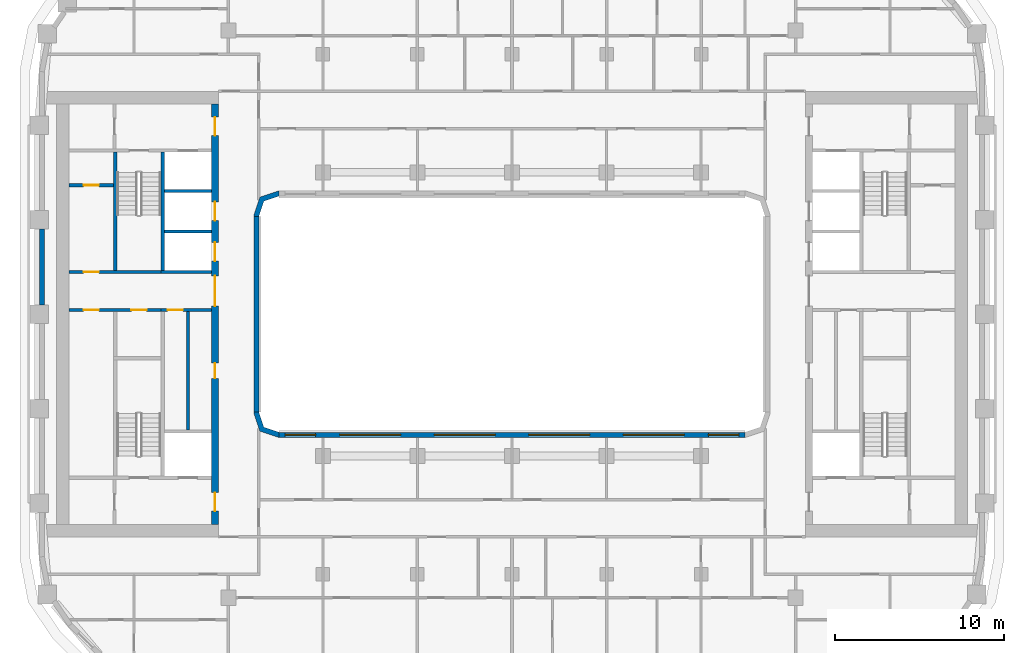
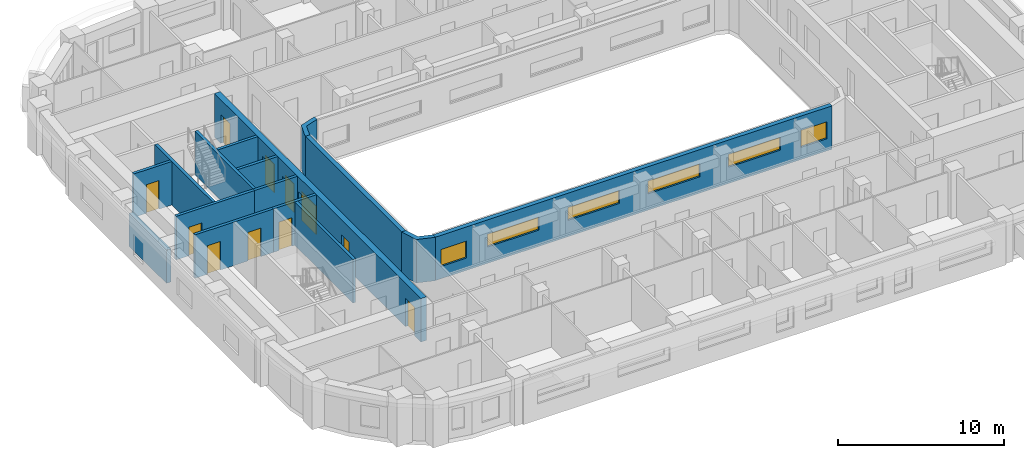
# One storey, part 4 of 22: 16 walls, 11 doors, 6 windows, 17 openings.
"""IFC4 building model written with IfcOpenShell, lengths in metres."""

from ifc_helpers import new_model, si_unit, direction, frame, frame_2d, origin, place, context, subcontext, project, spatial, polyline, rectangle, outline, extrude, material, layer, layer_set, type_object, element, fill, save


model = new_model("IFC4")

# Units and contexts
model_context = context("Model", 3, precision=1e-05, world=origin(), true_north=direction((0.0, 1.0)))
body_context = subcontext(model_context, "Body", "Model", "MODEL_VIEW")
ifc_project = project(units=[si_unit("LENGTHUNIT", "METRE"), si_unit("AREAUNIT", "SQUARE_METRE"), si_unit("VOLUMEUNIT", "CUBIC_METRE"), si_unit("PLANEANGLEUNIT", "RADIAN"), si_unit("MASSUNIT", "GRAM", prefix="KILO")], contexts=[model_context])

# Site, building, storey
site_placement = place(None, origin())
site = spatial("IfcSite", under=ifc_project, at=site_placement, CompositionType="ELEMENT")
building_placement = place(site_placement, origin())
building = spatial("IfcBuilding", under=site, at=building_placement, Name="Kiln Ring Residences", CompositionType="ELEMENT")
storey_placement = place(building_placement, frame((0.0, 0.0, 139.60009765625)))
storey = spatial("IfcBuildingStorey", under=building, at=storey_placement, Name="L35", CompositionType="ELEMENT", Elevation=139.60009765625)

# Wall, openings, doors
ifc_material_1 = material(Name="Gypsum board on steel studs", Category="steel")
ifc_layer_1 = layer(ifc_material_1, 0.199951171875)
ifc_layer_set_1 = layer_set([ifc_layer_1], Name="CORE-PARTITION-200")
wall_type_1 = type_object("IfcWallType", Name="CORE-PARTITION-200", PredefinedType="PARTITIONING", material=ifc_layer_set_1)
wall_1_placement = place(storey_placement, frame((-20.800048828125, 0.25, 0.0), z_axis=(0.0, 0.0, 1.0), x_axis=(-1.0, 0.0, 0.0)))
wall_1 = element("IfcWall", 1, at=wall_1_placement, inside=storey, type_object=wall_type_1, Name="Core partition west L35 2", PredefinedType="PARTITIONING", context=body_context, shape_type="SweptSolid", body=[
    extrude(rectangle(XDim=5.449951171875, YDim=0.199951171875, at=frame_2d((2.72509765625, 0.0))), origin(), (0.0, 0.0, 1.0), 3.199951171875),
])
opening_1_placement = place(wall_1_placement, frame((0.85009765625, 0.0, 0.0)))
opening_1 = element("IfcOpeningElement", 2, at=opening_1_placement, cuts=wall_1, Name="Opening L35-CW14", PredefinedType="OPENING", context=body_context, shape_type="SweptSolid", body=[
    extrude(rectangle(XDim=0.89990234375, YDim=2.10009765625, at=frame_2d((0.449951171875, 1.050048828125))), frame((0.0, 0.10986328125, 0.0), z_axis=(0.0, -1.0, 0.0), x_axis=(1.0, 0.0, 0.0)), (0.0, 0.0, 1.0), 0.219970703125),
])
opening_2_placement = place(wall_1_placement, frame((3.675048828125, 0.0, 0.0)))
opening_2 = element("IfcOpeningElement", 3, at=opening_2_placement, cuts=wall_1, Name="Opening L35-CW15", PredefinedType="OPENING", context=body_context, shape_type="SweptSolid", body=[
    extrude(rectangle(XDim=0.89990234375, YDim=2.10009765625, at=frame_2d((0.449951171875, 1.050048828125))), frame((0.0, 0.10986328125, 0.0), z_axis=(0.0, -1.0, 0.0), x_axis=(1.0, 0.0, 0.0)), (0.0, 0.0, 1.0), 0.219970703125),
])
ifc_material_2 = material(Name="Steel door leaf", Category="steel")
door_type_1 = type_object("IfcDoorType", Name="CORE-DOOR-ROOM", OperationType="SINGLE_SWING_LEFT", PredefinedType="DOOR", material=ifc_material_2)
door_1_placement = place(opening_1_placement, origin())
door_1 = element("IfcDoor", 4, at=door_1_placement, inside=storey, type_object=door_type_1, Name="Refuse and recycling room L35-CW14", OperationType="SINGLE_SWING_RIGHT", OverallHeight=2.10009765625, OverallWidth=0.89990234375, PredefinedType="DOOR", context=body_context, shape_type="SweptSolid", body=[
    extrude(rectangle(XDim=0.89990234375, YDim=2.10009765625, at=frame_2d((0.449951171875, 1.050048828125))), frame((0.0, 0.02490234375, 0.0), z_axis=(0.0, -1.0, 0.0), x_axis=(1.0, 0.0, 0.0)), (0.0, 0.0, 1.0), 0.050048828125),
])
fill(opening_1, door_1)
door_2_placement = place(opening_2_placement, origin())
door_2 = element("IfcDoor", 5, at=door_2_placement, inside=storey, type_object=door_type_1, Name="Water tank room L35-CW15", OperationType="SINGLE_SWING_LEFT", OverallHeight=2.10009765625, OverallWidth=0.89990234375, PredefinedType="DOOR", context=body_context, shape_type="SweptSolid", body=[
    extrude(rectangle(XDim=0.89990234375, YDim=2.10009765625, at=frame_2d((0.449951171875, 1.050048828125))), frame((0.0, 0.02490234375, 0.0), z_axis=(0.0, -1.0, 0.0), x_axis=(1.0, 0.0, 0.0)), (0.0, 0.0, 1.0), 0.050048828125),
])
fill(opening_2, door_2)

# Wall
wall_2_placement = place(storey_placement, frame((-19.199951171875, -6.85009765625, 0.0), z_axis=(0.0, 0.0, 1.0), x_axis=(0.0, 1.0, 0.0)))
element("IfcWall", 6, at=wall_2_placement, inside=storey, type_object=wall_type_1, Name="Core partition west L35 3", PredefinedType="PARTITIONING", context=body_context, shape_type="SweptSolid", body=[
    extrude(rectangle(XDim=7.0, YDim=0.199951171875, at=frame_2d((3.5, 0.0))), origin(), (0.0, 0.0, 1.0), 3.199951171875),
])

# Wall, opening, door
wall_3_placement = place(storey_placement, frame((-23.60009765625, 7.639892578125, 0.0), z_axis=(0.0, 0.0, 1.0), x_axis=(-1.0, 0.0, 0.0)))
wall_3 = element("IfcWall", 7, at=wall_3_placement, inside=storey, type_object=wall_type_1, Name="Core partition west L35 6", PredefinedType="PARTITIONING", context=body_context, shape_type="SweptSolid", body=[
    extrude(rectangle(XDim=2.64990234375, YDim=0.199951171875, at=frame_2d((1.324951171875, 0.0))), origin(), (0.0, 0.0, 1.0), 3.199951171875),
])
opening_3_placement = place(wall_3_placement, frame((0.875, 0.0, 0.0)))
opening_3 = element("IfcOpeningElement", 8, at=opening_3_placement, cuts=wall_3, Name="Opening L35-CW16", PredefinedType="OPENING", context=body_context, shape_type="SweptSolid", body=[
    extrude(rectangle(XDim=0.89990234375, YDim=2.10009765625, at=frame_2d((0.449951171875, 1.050048828125))), frame((0.0, 0.10986328125, 0.0), z_axis=(0.0, -1.0, 0.0), x_axis=(1.0, 0.0, 0.0)), (0.0, 0.0, 1.0), 0.219970703125),
])
door_3_placement = place(opening_3_placement, origin())
door_3 = element("IfcDoor", 9, at=door_3_placement, inside=storey, type_object=door_type_1, Name="UPS room L35-CW16", OperationType="SINGLE_SWING_LEFT", OverallHeight=2.10009765625, OverallWidth=0.89990234375, PredefinedType="DOOR", context=body_context, shape_type="SweptSolid", body=[
    extrude(rectangle(XDim=0.89990234375, YDim=2.10009765625, at=frame_2d((0.449951171875, 1.050048828125))), frame((0.0, 0.02490234375, 0.0), z_axis=(0.0, -1.0, 0.0), x_axis=(1.0, 0.0, 0.0)), (0.0, 0.0, 1.0), 0.050048828125),
])
fill(opening_3, door_3)

ifc_material_3 = material(Name="Gypsum shaft wall system")
ifc_layer_2 = layer(ifc_material_3, 0.199951171875)
ifc_layer_set_2 = layer_set([ifc_layer_2], Name="CORE-SHAFT-WALL-200")
wall_type_2 = type_object("IfcWallType", Name="CORE-SHAFT-WALL-200", PredefinedType="PARTITIONING", material=ifc_layer_set_2)
wall_4_placement = place(storey_placement, frame((-17.800048828125, 0.25, 0.0), z_axis=(0.0, 0.0, 1.0), x_axis=(-1.0, 0.0, 0.0)))
wall_4 = element("IfcWall", 10, at=wall_4_placement, inside=storey, type_object=wall_type_2, Name="Core partition west L35 8", PredefinedType="PARTITIONING", context=body_context, shape_type="SweptSolid", body=[
    extrude(rectangle(XDim=3.0, YDim=0.199951171875, at=frame_2d((1.5, 0.0))), origin(), (0.0, 0.0, 1.0), 3.199951171875),
])
opening_4_placement = place(wall_4_placement, frame((1.699951171875, 0.0, 0.0)))
opening_4 = element("IfcOpeningElement", 11, at=opening_4_placement, cuts=wall_4, Name="Opening L35-CW03", PredefinedType="OPENING", context=body_context, shape_type="SweptSolid", body=[
    extrude(rectangle(XDim=0.89990234375, YDim=2.10009765625, at=frame_2d((0.449951171875, 1.050048828125))), frame((0.0, 0.10986328125, 0.0), z_axis=(0.0, -1.0, 0.0), x_axis=(1.0, 0.0, 0.0)), (0.0, 0.0, 1.0), 0.219970703125),
])
door_4_placement = place(opening_4_placement, origin())
door_4 = element("IfcDoor", 12, at=door_4_placement, inside=storey, type_object=door_type_1, Name="Locker store L35-CW03", OperationType="SINGLE_SWING_LEFT", OverallHeight=2.10009765625, OverallWidth=0.89990234375, PredefinedType="DOOR", context=body_context, shape_type="SweptSolid", body=[
    extrude(rectangle(XDim=0.89990234375, YDim=2.10009765625, at=frame_2d((0.449951171875, 1.050048828125))), frame((0.0, 0.02490234375, 0.0), z_axis=(0.0, -1.0, 0.0), x_axis=(1.0, 0.0, 0.0)), (0.0, 0.0, 1.0), 0.050048828125),
])
fill(opening_4, door_4)

# Walls
wall_5_placement = place(storey_placement, frame((-17.800048828125, 2.5, 0.0), z_axis=(0.0, 0.0, 1.0), x_axis=(-1.0, 0.0, 0.0)))
element("IfcWall", 13, at=wall_5_placement, inside=storey, type_object=wall_type_2, Name="Core partition west L35 9", PredefinedType="PARTITIONING", context=body_context, shape_type="SweptSolid", body=[
    extrude(rectangle(XDim=3.0, YDim=0.199951171875, at=frame_2d((1.5, 0.0))), origin(), (0.0, 0.0, 1.0), 3.199951171875),
])
for number, where, z_axis, x_axis, name in (
    (14, (-17.800048828125, 4.89990234375, 0.0), (0.0, 0.0, 1.0), (-1.0, 0.0, 0.0), "Core partition west L35 10"),
    (15, (-17.800048828125, 7.300048828125, 0.0), (0.0, 0.0, 1.0), (-1.0, 0.0, 0.0), "Core partition west L35 11"),
):
    element("IfcWall", number, at=place(storey_placement, frame(where, z_axis=z_axis, x_axis=x_axis)), inside=storey, type_object=wall_type_2, Name=name, PredefinedType="PARTITIONING", context=body_context, shape_type="SweptSolid", body=[
        extrude(rectangle(XDim=2.800048828125, YDim=0.199951171875, at=frame_2d((1.39990234375, 0.0))), origin(), (0.0, 0.0, 1.0), 3.199951171875),
    ])
ifc_material_4 = material(Name="Concrete C40/50", Category="concrete")
ifc_layer_3 = layer(ifc_material_4, 0.199951171875)
ifc_layer_set_3 = layer_set([ifc_layer_3], Name="CORE-WALL-RC200")
wall_type_3 = type_object("IfcWallType", Name="CORE-WALL-RC200", PredefinedType="SHEAR", material=ifc_layer_set_3)
wall_6_placement = place(storey_placement, frame((-20.699951171875, 2.60009765625, 0.0), z_axis=(0.0, 0.0, 1.0), x_axis=(0.0, 1.0, 0.0)))
element("IfcWall", 16, at=wall_6_placement, inside=storey, type_object=wall_type_3, Name="Core wall west L35 1", PredefinedType="SHEAR", context=body_context, shape_type="SweptSolid", body=[
    extrude(rectangle(XDim=7.0, YDim=0.199951171875, at=frame_2d((3.5, 0.0))), origin(), (0.0, 0.0, 1.0), 3.199951171875),
])

# Wall, opening, door
wall_7_placement = place(storey_placement, frame((-20.800048828125, 2.5, 0.0), z_axis=(0.0, 0.0, 1.0), x_axis=(-1.0, 0.0, 0.0)))
wall_7 = element("IfcWall", 17, at=wall_7_placement, inside=storey, type_object=wall_type_3, Name="Core wall west L35 3", PredefinedType="SHEAR", context=body_context, shape_type="SweptSolid", body=[
    extrude(rectangle(XDim=5.449951171875, YDim=0.199951171875, at=frame_2d((2.72509765625, 0.0))), origin(), (0.0, 0.0, 1.0), 3.199951171875),
])
opening_5_placement = place(wall_7_placement, frame((3.675048828125, 0.0, 0.0)))
opening_5 = element("IfcOpeningElement", 18, at=opening_5_placement, cuts=wall_7, Name="Opening L35-CW17", PredefinedType="OPENING", context=body_context, shape_type="SweptSolid", body=[
    extrude(rectangle(XDim=0.89990234375, YDim=2.10009765625, at=frame_2d((0.449951171875, 1.050048828125))), frame((0.0, 0.10986328125, 0.0), z_axis=(0.0, -1.0, 0.0), x_axis=(1.0, 0.0, 0.0)), (0.0, 0.0, 1.0), 0.219970703125),
])
door_5_placement = place(opening_5_placement, origin())
door_5 = element("IfcDoor", 19, at=door_5_placement, inside=storey, type_object=door_type_1, Name="Electrical plant room L35-CW17", OperationType="SINGLE_SWING_RIGHT", OverallHeight=2.10009765625, OverallWidth=0.89990234375, PredefinedType="DOOR", context=body_context, shape_type="SweptSolid", body=[
    extrude(rectangle(XDim=0.89990234375, YDim=2.10009765625, at=frame_2d((0.449951171875, 1.050048828125))), frame((0.0, 0.02490234375, 0.0), z_axis=(0.0, -1.0, 0.0), x_axis=(1.0, 0.0, 0.0)), (0.0, 0.0, 1.0), 0.050048828125),
])
fill(opening_5, door_5)

# Wall
wall_8_placement = place(storey_placement, frame((-23.5, 2.60009765625, 0.0), z_axis=(0.0, 0.0, 1.0), x_axis=(0.0, 1.0, 0.0)))
element("IfcWall", 20, at=wall_8_placement, inside=storey, type_object=wall_type_3, Name="Core wall west L35 10", PredefinedType="SHEAR", context=body_context, shape_type="SweptSolid", body=[
    extrude(rectangle(XDim=7.0, YDim=0.199951171875, at=frame_2d((3.5, 0.0))), origin(), (0.0, 0.0, 1.0), 3.199951171875),
])

# Wall, openings, doors
ifc_material_5 = material(Name="Concrete C60/75", Category="concrete")
ifc_layer_4 = layer(ifc_material_5, 0.39990234375)
ifc_layer_set_4 = layer_set([ifc_layer_4], Name="CORE-WALL-RC400")
wall_type_4 = type_object("IfcWallType", Name="CORE-WALL-RC400", PredefinedType="SHEAR", material=ifc_layer_set_4)
wall_9_placement = place(storey_placement, frame((-17.60009765625, -12.449951171875, 0.0), z_axis=(0.0, 0.0, 1.0), x_axis=(0.0, 1.0, 0.0)))
wall_9 = element("IfcWall", 21, at=wall_9_placement, inside=storey, type_object=wall_type_4, Name="Core wall west L35 6", PredefinedType="SHEAR", context=body_context, shape_type="SweptSolid", body=[
    extrude(rectangle(XDim=24.89990234375, YDim=0.39990234375, at=frame_2d((12.449951171875, 0.0))), origin(), (0.0, 0.0, 1.0), 3.199951171875),
])
opening_6_placement = place(wall_9_placement, frame((8.64990234375, 0.0, 0.0)))
opening_6 = element("IfcOpeningElement", 22, at=opening_6_placement, cuts=wall_9, Name="Opening L35-CW02", PredefinedType="OPENING", context=body_context, shape_type="SweptSolid", body=[
    extrude(rectangle(XDim=0.89990234375, YDim=2.10009765625, at=frame_2d((0.449951171875, 1.050048828125))), frame((0.0, 0.2099609375, 0.0), z_axis=(0.0, -1.0, 0.0), x_axis=(1.0, 0.0, 0.0)), (0.0, 0.0, 1.0), 0.419921875),
])
opening_7_placement = place(wall_9_placement, frame((15.60009765625, 0.0, 0.0)))
opening_7 = element("IfcOpeningElement", 23, at=opening_7_placement, cuts=wall_9, Name="Opening L35-CW04", PredefinedType="OPENING", context=body_context, shape_type="SweptSolid", body=[
    extrude(rectangle(XDim=1.10009765625, YDim=2.10009765625, at=frame_2d((0.550048828125, 1.050048828125))), frame((0.0, 0.2099609375, 0.0), z_axis=(0.0, -1.0, 0.0), x_axis=(1.0, 0.0, 0.0)), (0.0, 0.0, 1.0), 0.419921875),
])
opening_8_placement = place(wall_9_placement, frame((18.0, 0.0, 0.0)))
opening_8 = element("IfcOpeningElement", 24, at=opening_8_placement, cuts=wall_9, Name="Opening L35-CW05", PredefinedType="OPENING", context=body_context, shape_type="SweptSolid", body=[
    extrude(rectangle(XDim=1.10009765625, YDim=2.10009765625, at=frame_2d((0.550048828125, 1.050048828125))), frame((0.0, 0.2099609375, 0.0), z_axis=(0.0, -1.0, 0.0), x_axis=(1.0, 0.0, 0.0)), (0.0, 0.0, 1.0), 0.419921875),
])
opening_9_placement = place(wall_9_placement, frame((23.02490234375, 0.0, 0.0)))
opening_9 = element("IfcOpeningElement", 25, at=opening_9_placement, cuts=wall_9, Name="Opening L35-CW07", PredefinedType="OPENING", context=body_context, shape_type="SweptSolid", body=[
    extrude(rectangle(XDim=1.10009765625, YDim=2.10009765625, at=frame_2d((0.550048828125, 1.050048828125))), frame((0.0, 0.2099609375, 0.0), z_axis=(0.0, -1.0, 0.0), x_axis=(1.0, 0.0, 0.0)), (0.0, 0.0, 1.0), 0.419921875),
])
opening_10_placement = place(wall_9_placement, frame((0.77490234375, 0.0, 0.0)))
opening_10 = element("IfcOpeningElement", 26, at=opening_10_placement, cuts=wall_9, Name="Opening L35-CW08", PredefinedType="OPENING", context=body_context, shape_type="SweptSolid", body=[
    extrude(rectangle(XDim=1.10009765625, YDim=2.10009765625, at=frame_2d((0.550048828125, 1.050048828125))), frame((0.0, 0.2099609375, 0.0), z_axis=(0.0, -1.0, 0.0), x_axis=(1.0, 0.0, 0.0)), (0.0, 0.0, 1.0), 0.419921875),
])
opening_11_placement = place(wall_9_placement, frame((12.925048828125, 0.0, 0.0)))
opening_11 = element("IfcOpeningElement", 27, at=opening_11_placement, cuts=wall_9, Name="Opening L35-CW13", PredefinedType="OPENING", context=body_context, shape_type="SweptSolid", body=[
    extrude(rectangle(XDim=1.800048828125, YDim=2.10009765625, at=frame_2d((0.89990234375, 1.050048828125))), frame((0.0, 0.2099609375, 0.0), z_axis=(0.0, -1.0, 0.0), x_axis=(1.0, 0.0, 0.0)), (0.0, 0.0, 1.0), 0.419921875),
])
ifc_material_6 = material(Name="Steel door leaf", Category="steel")
door_type_2 = type_object("IfcDoorType", Name="CORE-DOOR-LD", OperationType="DOUBLE_DOOR_SLIDING", PredefinedType="DOOR", material=ifc_material_6)
door_6_placement = place(opening_7_placement, origin())
door_6 = element("IfcDoor", 28, at=door_6_placement, inside=storey, type_object=door_type_2, Name="LD W-M1 L35-CW04", OperationType="DOUBLE_DOOR_SLIDING", OverallHeight=2.10009765625, OverallWidth=1.10009765625, PredefinedType="DOOR", context=body_context, shape_type="SweptSolid", body=[
    extrude(rectangle(XDim=1.10009765625, YDim=2.10009765625, at=frame_2d((0.550048828125, 1.050048828125))), frame((0.0, 0.02490234375, 0.0), z_axis=(0.0, -1.0, 0.0), x_axis=(1.0, 0.0, 0.0)), (0.0, 0.0, 1.0), 0.050048828125),
])
fill(opening_7, door_6)
door_7_placement = place(opening_8_placement, origin())
door_7 = element("IfcDoor", 29, at=door_7_placement, inside=storey, type_object=door_type_2, Name="LD W-M2 L35-CW05", OperationType="DOUBLE_DOOR_SLIDING", OverallHeight=2.10009765625, OverallWidth=1.10009765625, PredefinedType="DOOR", context=body_context, shape_type="SweptSolid", body=[
    extrude(rectangle(XDim=1.10009765625, YDim=2.10009765625, at=frame_2d((0.550048828125, 1.050048828125))), frame((0.0, 0.02490234375, 0.0), z_axis=(0.0, -1.0, 0.0), x_axis=(1.0, 0.0, 0.0)), (0.0, 0.0, 1.0), 0.050048828125),
])
fill(opening_8, door_7)
ifc_material_7 = material(Name="Steel door leaf", Category="steel")
door_type_3 = type_object("IfcDoorType", Name="CORE-DOOR-LOBBY", OperationType="SINGLE_SWING_LEFT", PredefinedType="DOOR", material=ifc_material_7)
door_8_placement = place(opening_9_placement, origin())
door_8 = element("IfcDoor", 30, at=door_8_placement, inside=storey, type_object=door_type_3, Name="FFL L35-CW07", OperationType="SINGLE_SWING_RIGHT", OverallHeight=2.10009765625, OverallWidth=1.10009765625, PredefinedType="DOOR", context=body_context, shape_type="SweptSolid", body=[
    extrude(rectangle(XDim=1.10009765625, YDim=2.10009765625, at=frame_2d((0.550048828125, 1.050048828125))), frame((0.0, 0.02490234375, 0.0), z_axis=(0.0, -1.0, 0.0), x_axis=(1.0, 0.0, 0.0)), (0.0, 0.0, 1.0), 0.050048828125),
])
fill(opening_9, door_8)
door_9_placement = place(opening_10_placement, origin())
door_9 = element("IfcDoor", 31, at=door_9_placement, inside=storey, type_object=door_type_3, Name="SVL L35-CW08", OperationType="SINGLE_SWING_LEFT", OverallHeight=2.10009765625, OverallWidth=1.10009765625, PredefinedType="DOOR", context=body_context, shape_type="SweptSolid", body=[
    extrude(rectangle(XDim=1.10009765625, YDim=2.10009765625, at=frame_2d((0.550048828125, 1.050048828125))), frame((0.0, 0.02490234375, 0.0), z_axis=(0.0, -1.0, 0.0), x_axis=(1.0, 0.0, 0.0)), (0.0, 0.0, 1.0), 0.050048828125),
])
fill(opening_10, door_9)
ifc_material_8 = material(Name="Steel door leaf", Category="steel")
door_type_4 = type_object("IfcDoorType", Name="CORE-DOOR-PASS", OperationType="DOUBLE_DOOR_SINGLE_SWING", PredefinedType="DOOR", material=ifc_material_8)
door_10_placement = place(opening_11_placement, origin())
door_10 = element("IfcDoor", 32, at=door_10_placement, inside=storey, type_object=door_type_4, Name="Core passage L35-CW13", OperationType="DOUBLE_DOOR_SINGLE_SWING", OverallHeight=2.10009765625, OverallWidth=1.800048828125, PredefinedType="DOOR", context=body_context, shape_type="SweptSolid", body=[
    extrude(rectangle(XDim=1.800048828125, YDim=2.10009765625, at=frame_2d((0.89990234375, 1.050048828125))), frame((0.0, 0.02490234375, 0.0), z_axis=(0.0, -1.0, 0.0), x_axis=(1.0, 0.0, 0.0)), (0.0, 0.0, 1.0), 0.050048828125),
])
fill(opening_11, door_10)
door_11_placement = place(opening_6_placement, origin())
door_11 = element("IfcDoor", 33, at=door_11_placement, inside=storey, type_object=door_type_1, Name="Storage room L35-CW02", OperationType="SINGLE_SWING_RIGHT", OverallHeight=2.10009765625, OverallWidth=0.89990234375, PredefinedType="DOOR", context=body_context, shape_type="SweptSolid", body=[
    extrude(rectangle(XDim=0.89990234375, YDim=2.10009765625, at=frame_2d((0.449951171875, 1.050048828125))), frame((0.0, 0.02490234375, 0.0), z_axis=(0.0, -1.0, 0.0), x_axis=(1.0, 0.0, 0.0)), (0.0, 0.0, 1.0), 0.050048828125),
])
fill(opening_6, door_11)

# Walls
ifc_material_9 = material(Name="Brick masonry, dark clay brick", Category="masonry")
ifc_layer_5 = layer(ifc_material_9, 0.300048828125)
ifc_layer_set_5 = layer_set([ifc_layer_5], Name="EW-300 BRICK WALL")
wall_type_5 = type_object("IfcWallType", Name="EW-300 BRICK WALL", PredefinedType="SOLIDWALL", material=ifc_layer_set_5)
wall_10_placement = place(storey_placement, frame((-27.85009765625, 5.050048828125, 0.0), z_axis=(0.0, 0.0, 1.0), x_axis=(0.0, -1.0, 0.0)))
element("IfcWall", 34, at=wall_10_placement, inside=storey, type_object=wall_type_5, Name="Facade wall L35 43", PredefinedType="SOLIDWALL", context=body_context, shape_type="SweptSolid", body=[
    extrude(rectangle(XDim=4.5, YDim=0.300048828125, at=frame_2d((2.25, 0.0))), origin(), (0.0, 0.0, 1.0), 2.449951171875),
])
wall_11_placement = place(storey_placement, frame((-15.14990234375, -5.800048828125, 0.0), z_axis=(0.0, 0.0, 1.0), x_axis=(0.0, 1.0, 0.0)))
element("IfcWall", 35, at=wall_11_placement, inside=storey, type_object=wall_type_5, Name="Facade wall L35 49", PredefinedType="SOLIDWALL", context=body_context, shape_type="SweptSolid", body=[
    extrude(rectangle(XDim=11.60009765625, YDim=0.300048828125, at=frame_2d((5.800048828125, 0.0))), origin(), (0.0, 0.0, 1.0), 3.199951171875),
])

# Wall, openings, windows
wall_12_placement = place(storey_placement, frame((13.800048828125, -7.14990234375, 0.0), z_axis=(0.0, 0.0, 1.0), x_axis=(-1.0, 0.0, 0.0)))
wall_12 = element("IfcWall", 36, at=wall_12_placement, inside=storey, type_object=wall_type_5, Name="Facade wall L35 52", PredefinedType="SOLIDWALL", context=body_context, shape_type="SweptSolid", body=[
    extrude(rectangle(XDim=27.60009765625, YDim=0.300048828125, at=frame_2d((13.800048828125, 0.0))), origin(), (0.0, 0.0, 1.0), 3.199951171875),
])
opening_12_placement = place(wall_12_placement, frame((0.362548828125, 0.0, 0.89990234375)))
opening_12 = element("IfcOpeningElement", 37, at=opening_12_placement, cuts=wall_12, Name="Opening W2", PredefinedType="OPENING", context=body_context, shape_type="SweptSolid", body=[
    extrude(rectangle(XDim=1.800048828125, YDim=1.25, at=frame_2d((0.89990234375, 0.625))), frame((0.0, 0.159912109375, 0.0), z_axis=(0.0, -1.0, 0.0), x_axis=(1.0, 0.0, 0.0)), (0.0, 0.0, 1.0), 0.320068359375),
])
opening_13_placement = place(wall_12_placement, frame((3.60009765625, 0.0, 1.199951171875)))
opening_13 = element("IfcOpeningElement", 38, at=opening_13_placement, cuts=wall_12, Name="Opening W4", PredefinedType="OPENING", context=body_context, shape_type="SweptSolid", body=[
    extrude(rectangle(XDim=3.60009765625, YDim=0.949951171875, at=frame_2d((1.800048828125, 0.47509765625))), frame((0.0, 0.159912109375, 0.0), z_axis=(0.0, -1.0, 0.0), x_axis=(1.0, 0.0, 0.0)), (0.0, 0.0, 1.0), 0.320068359375),
])
opening_14_placement = place(wall_12_placement, frame((9.199951171875, 0.0, 1.199951171875)))
opening_14 = element("IfcOpeningElement", 39, at=opening_14_placement, cuts=wall_12, Name="Opening W4", PredefinedType="OPENING", context=body_context, shape_type="SweptSolid", body=[
    extrude(rectangle(XDim=3.60009765625, YDim=0.949951171875, at=frame_2d((1.800048828125, 0.47509765625))), frame((0.0, 0.159912109375, 0.0), z_axis=(0.0, -1.0, 0.0), x_axis=(1.0, 0.0, 0.0)), (0.0, 0.0, 1.0), 0.320068359375),
])
opening_15_placement = place(wall_12_placement, frame((14.800048828125, 0.0, 1.199951171875)))
opening_15 = element("IfcOpeningElement", 40, at=opening_15_placement, cuts=wall_12, Name="Opening W4", PredefinedType="OPENING", context=body_context, shape_type="SweptSolid", body=[
    extrude(rectangle(XDim=3.60009765625, YDim=0.949951171875, at=frame_2d((1.800048828125, 0.47509765625))), frame((0.0, 0.159912109375, 0.0), z_axis=(0.0, -1.0, 0.0), x_axis=(1.0, 0.0, 0.0)), (0.0, 0.0, 1.0), 0.320068359375),
])
opening_16_placement = place(wall_12_placement, frame((20.39990234375, 0.0, 1.199951171875)))
opening_16 = element("IfcOpeningElement", 41, at=opening_16_placement, cuts=wall_12, Name="Opening W4", PredefinedType="OPENING", context=body_context, shape_type="SweptSolid", body=[
    extrude(rectangle(XDim=3.60009765625, YDim=0.949951171875, at=frame_2d((1.800048828125, 0.47509765625))), frame((0.0, 0.159912109375, 0.0), z_axis=(0.0, -1.0, 0.0), x_axis=(1.0, 0.0, 0.0)), (0.0, 0.0, 1.0), 0.320068359375),
])
opening_17_placement = place(wall_12_placement, frame((25.4375, 0.0, 0.89990234375)))
opening_17 = element("IfcOpeningElement", 42, at=opening_17_placement, cuts=wall_12, Name="Opening W2", PredefinedType="OPENING", context=body_context, shape_type="SweptSolid", body=[
    extrude(rectangle(XDim=1.800048828125, YDim=1.25, at=frame_2d((0.89990234375, 0.625))), frame((0.0, 0.159912109375, 0.0), z_axis=(0.0, -1.0, 0.0), x_axis=(1.0, 0.0, 0.0)), (0.0, 0.0, 1.0), 0.320068359375),
])
ifc_material_10 = material(Name="Aluminium frame with double glazing", Category="aluminium")
window_type_1 = type_object("IfcWindowType", Name="WINDOW 1800 x 1250", PartitioningType="SINGLE_PANEL", PredefinedType="WINDOW", material=ifc_material_10)
window_1_placement = place(opening_12_placement, origin())
window_1 = element("IfcWindow", 43, at=window_1_placement, inside=storey, type_object=window_type_1, Name="Window L35 39", OverallHeight=1.25, OverallWidth=1.800048828125, PartitioningType="SINGLE_PANEL", PredefinedType="WINDOW", context=body_context, shape_type="SweptSolid", body=[
    extrude(rectangle(XDim=1.800048828125, YDim=1.25, at=frame_2d((0.89990234375, 0.625))), frame((0.0, 0.030029296875, 0.0), z_axis=(0.0, -1.0, 0.0), x_axis=(1.0, 0.0, 0.0)), (0.0, 0.0, 1.0), 0.06005859375),
])
fill(opening_12, window_1)
window_2_placement = place(opening_17_placement, origin())
window_2 = element("IfcWindow", 44, at=window_2_placement, inside=storey, type_object=window_type_1, Name="Window L35 44", OverallHeight=1.25, OverallWidth=1.800048828125, PartitioningType="SINGLE_PANEL", PredefinedType="WINDOW", context=body_context, shape_type="SweptSolid", body=[
    extrude(rectangle(XDim=1.800048828125, YDim=1.25, at=frame_2d((0.89990234375, 0.625))), frame((0.0, 0.030029296875, 0.0), z_axis=(0.0, -1.0, 0.0), x_axis=(1.0, 0.0, 0.0)), (0.0, 0.0, 1.0), 0.06005859375),
])
fill(opening_17, window_2)
ifc_material_11 = material(Name="Aluminium frame with double glazing", Category="aluminium")
window_type_2 = type_object("IfcWindowType", Name="WINDOW 3600 x 950", PartitioningType="SINGLE_PANEL", PredefinedType="WINDOW", material=ifc_material_11)
window_3_placement = place(opening_13_placement, origin())
window_3 = element("IfcWindow", 45, at=window_3_placement, inside=storey, type_object=window_type_2, Name="Window L35 40", OverallHeight=0.949951171875, OverallWidth=3.60009765625, PartitioningType="SINGLE_PANEL", PredefinedType="WINDOW", context=body_context, shape_type="SweptSolid", body=[
    extrude(rectangle(XDim=3.60009765625, YDim=0.949951171875, at=frame_2d((1.800048828125, 0.47509765625))), frame((0.0, 0.030029296875, 0.0), z_axis=(0.0, -1.0, 0.0), x_axis=(1.0, 0.0, 0.0)), (0.0, 0.0, 1.0), 0.06005859375),
])
fill(opening_13, window_3)
window_4_placement = place(opening_14_placement, origin())
window_4 = element("IfcWindow", 46, at=window_4_placement, inside=storey, type_object=window_type_2, Name="Window L35 41", OverallHeight=0.949951171875, OverallWidth=3.60009765625, PartitioningType="SINGLE_PANEL", PredefinedType="WINDOW", context=body_context, shape_type="SweptSolid", body=[
    extrude(rectangle(XDim=3.60009765625, YDim=0.949951171875, at=frame_2d((1.800048828125, 0.47509765625))), frame((0.0, 0.030029296875, 0.0), z_axis=(0.0, -1.0, 0.0), x_axis=(1.0, 0.0, 0.0)), (0.0, 0.0, 1.0), 0.06005859375),
])
fill(opening_14, window_4)
window_5_placement = place(opening_15_placement, origin())
window_5 = element("IfcWindow", 47, at=window_5_placement, inside=storey, type_object=window_type_2, Name="Window L35 42", OverallHeight=0.949951171875, OverallWidth=3.60009765625, PartitioningType="SINGLE_PANEL", PredefinedType="WINDOW", context=body_context, shape_type="SweptSolid", body=[
    extrude(rectangle(XDim=3.60009765625, YDim=0.949951171875, at=frame_2d((1.800048828125, 0.47509765625))), frame((0.0, 0.030029296875, 0.0), z_axis=(0.0, -1.0, 0.0), x_axis=(1.0, 0.0, 0.0)), (0.0, 0.0, 1.0), 0.06005859375),
])
fill(opening_15, window_5)
window_6_placement = place(opening_16_placement, origin())
window_6 = element("IfcWindow", 48, at=window_6_placement, inside=storey, type_object=window_type_2, Name="Window L35 43", OverallHeight=0.949951171875, OverallWidth=3.60009765625, PartitioningType="SINGLE_PANEL", PredefinedType="WINDOW", context=body_context, shape_type="SweptSolid", body=[
    extrude(rectangle(XDim=3.60009765625, YDim=0.949951171875, at=frame_2d((1.800048828125, 0.47509765625))), frame((0.0, 0.030029296875, 0.0), z_axis=(0.0, -1.0, 0.0), x_axis=(1.0, 0.0, 0.0)), (0.0, 0.0, 1.0), 0.06005859375),
])
fill(opening_16, window_6)

# Walls
placement = place(storey_placement, origin())
element("IfcWall", 49, at=placement, inside=storey, type_object=wall_type_5, Name="Corner wall L35 1", PredefinedType="SOLIDWALL", context=body_context, shape_type="SweptSolid", body=[
    extrude(outline(polyline([(-13.8486328125, 7.300048828125), (-14.937255859375, 6.937255859375), (-15.300048828125, 5.8486328125), (-15.300048828125, 5.800048828125), (-15.0, 5.800048828125), (-14.699951171875, 6.699951171875), (-13.800048828125, 7.0), (-13.800048828125, 7.300048828125), (-13.8486328125, 7.300048828125)])), origin(), (0.0, 0.0, 1.0), 3.199951171875),
])
element("IfcWall", 50, at=placement, inside=storey, type_object=wall_type_5, Name="Corner wall L35 4", PredefinedType="SOLIDWALL", context=body_context, shape_type="SweptSolid", body=[
    extrude(outline(polyline([(-14.937255859375, -6.937255859375), (-13.8486328125, -7.300048828125), (-13.800048828125, -7.300048828125), (-13.800048828125, -7.0), (-14.699951171875, -6.699951171875), (-15.0, -5.800048828125), (-15.300048828125, -5.800048828125), (-15.300048828125, -5.8486328125), (-14.937255859375, -6.937255859375)])), origin(), (0.0, 0.0, 1.0), 3.199951171875),
])

save(model, "model.ifc")
